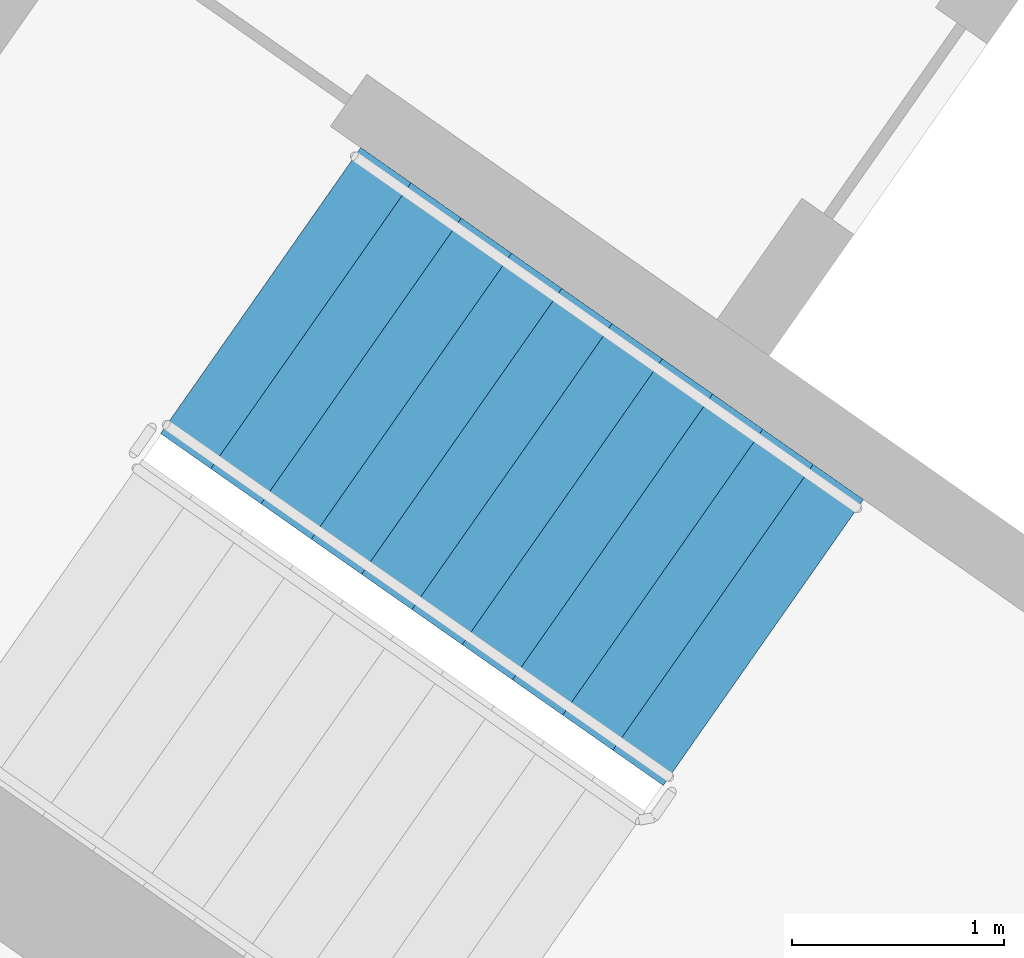
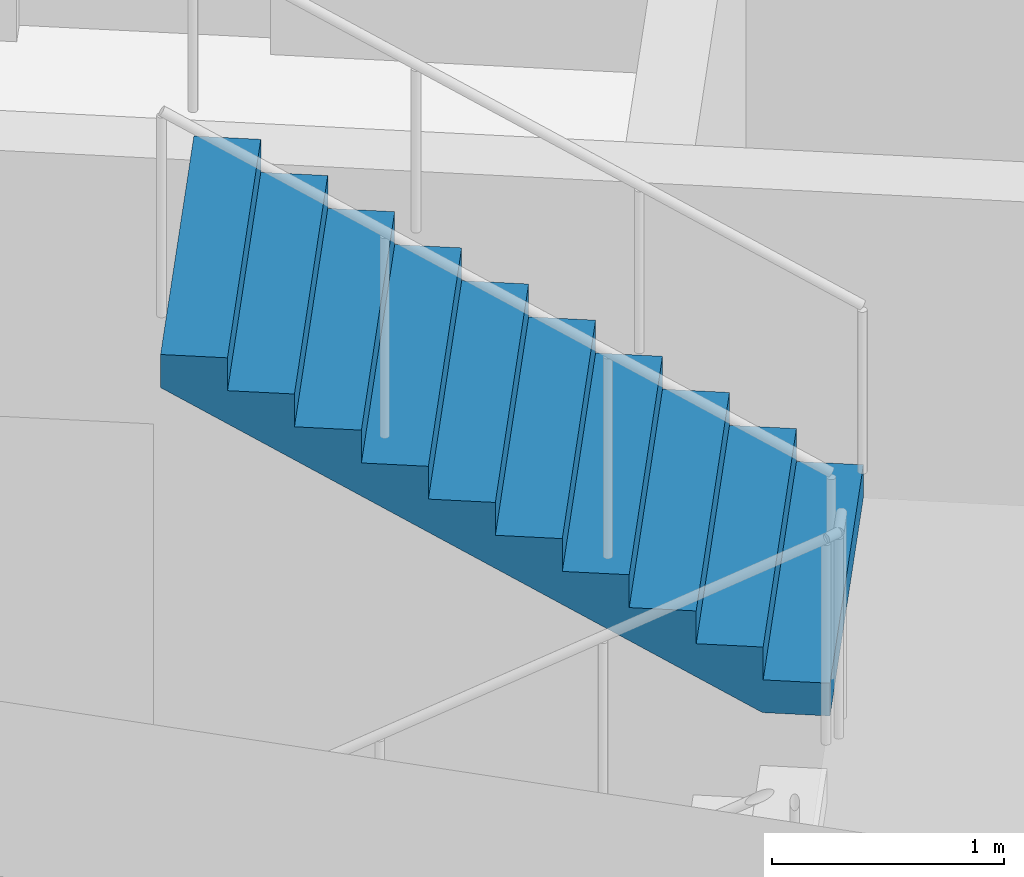
# One storey, part 10 of 26: 1 stair flight, 1 element without a shape of its own.
"""IFC4 building model written with IfcOpenShell, lengths in metres."""

from ifc_helpers import new_model, si_unit, direction, frame, origin, place, context, subcontext, project, spatial, faceted_brep, material, type_object, element, aggregate, save


model = new_model("IFC4")

# Units and contexts
model_context = context("Model", 3, precision=1e-05, world=origin(), true_north=direction((0.0, 1.0)))
body_context = subcontext(model_context, "Body", "Model", "MODEL_VIEW")
ifc_project = project(units=[si_unit("LENGTHUNIT", "METRE"), si_unit("AREAUNIT", "SQUARE_METRE"), si_unit("VOLUMEUNIT", "CUBIC_METRE"), si_unit("PLANEANGLEUNIT", "RADIAN"), si_unit("MASSUNIT", "GRAM", prefix="KILO")], contexts=[model_context])

# Site, building, storey
site_placement = place(None, origin())
site = spatial("IfcSite", under=ifc_project, at=site_placement, CompositionType="ELEMENT")
building_placement = place(site_placement, origin())
building = spatial("IfcBuilding", under=site, at=building_placement, Name="Qamariyya Broadcast Tower", CompositionType="ELEMENT")
storey_placement = place(building_placement, frame((0.0, 0.0, 156.89990234375)))
storey = spatial("IfcBuildingStorey", under=building, at=storey_placement, Name="L36", CompositionType="ELEMENT", Elevation=156.89990234375)

# Stair, stair flight
ifc_material = material(Name="Concrete C50/60", Category="concrete")
stair_type = type_object("IfcStairType", Name="Exit stair 22 risers of 173 mm", PredefinedType="HALF_TURN_STAIR", material=ifc_material)
stair_placement = place(storey_placement, origin())
stair = element("IfcStair", 1, at=stair_placement, inside=storey, type_object=stair_type, Name="L36 Stair W1", PredefinedType="HALF_TURN_STAIR")
stair_flight_type = type_object("IfcStairFlightType", Name="Exit stair flight 11 risers of 173 mm", PredefinedType="STRAIGHT", material=ifc_material)
stair_flight_placement = place(storey_placement, frame((-43.660888671875, -57.17138671875, 1.900146484375), z_axis=(0.0, 0.0, 1.0), x_axis=(-0.819152044289, 0.573576436351, 0.0)))
stair_flight = element("IfcStairFlight", 2, at=stair_flight_placement, type_object=stair_flight_type, Name="ST-W1 flight 2", NumberOfRisers=11, NumberOfTreads=10, PredefinedType="STRAIGHT", RiserHeight=0.172727273, TreadLength=0.29, context=body_context, shape_type="Brep", body=[
    faceted_brep([(0.0, 0.824951171875, 0.0), (0.0, 0.824951171875, 0.172607421875), (0.2900390625, 0.824951171875, 0.172607421875), (0.2900390625, 0.824951171875, 0.345458984375), (0.580078125, 0.824951171875, 0.345458984375), (0.580078125, 0.824951171875, 0.51806640625), (0.8701171875, 0.824951171875, 0.51806640625), (0.8701171875, 0.824951171875, 0.69091796875), (1.159912109375, 0.824951171875, 0.69091796875), (1.159912109375, 0.824951171875, 0.863525390625), (1.449951171875, 0.824951171875, 0.863525390625), (1.449951171875, 0.824951171875, 1.036376953125), (1.739990234375, 0.824951171875, 1.036376953125), (1.739990234375, 0.824951171875, 1.208984375), (2.030029296875, 0.824951171875, 1.208984375), (2.030029296875, 0.824951171875, 1.3818359375), (2.320068359375, 0.824951171875, 1.3818359375), (2.320068359375, 0.824951171875, 1.554443359375), (2.610107421875, 0.824951171875, 1.554443359375), (2.610107421875, 0.824951171875, 1.727294921875), (2.89990234375, 0.824951171875, 1.727294921875), (2.89990234375, 0.824951171875, 1.552734375), (0.29296875, 0.824951171875, 0.0), (0.29296875, -0.824951171875, 0.0), (2.89990234375, -0.824951171875, 1.552734375), (2.89990234375, -0.824951171875, 1.727294921875), (2.610107421875, -0.824951171875, 1.727294921875), (2.610107421875, -0.824951171875, 1.554443359375), (2.320068359375, -0.824951171875, 1.554443359375), (2.320068359375, -0.824951171875, 1.3818359375), (2.030029296875, -0.824951171875, 1.3818359375), (2.030029296875, -0.824951171875, 1.208984375), (1.739990234375, -0.824951171875, 1.208984375), (1.739990234375, -0.824951171875, 1.036376953125), (1.449951171875, -0.824951171875, 1.036376953125), (1.449951171875, -0.824951171875, 0.863525390625), (1.159912109375, -0.824951171875, 0.863525390625), (1.159912109375, -0.824951171875, 0.69091796875), (0.8701171875, -0.824951171875, 0.69091796875), (0.8701171875, -0.824951171875, 0.51806640625), (0.580078125, -0.824951171875, 0.51806640625), (0.580078125, -0.824951171875, 0.345458984375), (0.2900390625, -0.824951171875, 0.345458984375), (0.2900390625, -0.824951171875, 0.172607421875), (0.0, -0.824951171875, 0.172607421875), (0.0, -0.824951171875, 0.0), (0.0, 0.10009765625, 0.0), (0.0, 0.086669921875, 0.0), (0.0, 0.0732421875, 0.0), (0.0, 0.06005859375, 0.0), (0.0, 0.046630859375, 0.0), (0.0, 0.033447265625, 0.0), (0.0, 0.02001953125, 0.0), (0.0, 0.006591796875, 0.0), (0.0, -0.006591796875, 0.0), (0.0, -0.02001953125, 0.0), (0.0, -0.033447265625, 0.0), (0.0, -0.046630859375, 0.0), (0.0, -0.06005859375, 0.0), (0.0, -0.0732421875, 0.0), (0.0, -0.086669921875, 0.0), (0.0, -0.10009765625, 0.0), (0.0, -0.10009765625, 0.172607421875), (0.0, -0.086669921875, 0.172607421875), (0.0, -0.0732421875, 0.172607421875), (0.0, -0.06005859375, 0.172607421875), (0.0, -0.046630859375, 0.172607421875), (0.0, -0.033447265625, 0.172607421875), (0.0, -0.02001953125, 0.172607421875), (0.0, -0.006591796875, 0.172607421875), (0.0, 0.006591796875, 0.172607421875), (0.0, 0.02001953125, 0.172607421875), (0.0, 0.033447265625, 0.172607421875), (0.0, 0.046630859375, 0.172607421875), (0.0, 0.06005859375, 0.172607421875), (0.0, 0.0732421875, 0.172607421875), (0.0, 0.086669921875, 0.172607421875), (0.0, 0.10009765625, 0.172607421875), (0.2900390625, -0.10009765625, 0.172607421875), (0.2900390625, -0.086669921875, 0.172607421875), (0.2900390625, -0.0732421875, 0.172607421875), (0.2900390625, -0.06005859375, 0.172607421875), (0.2900390625, -0.046630859375, 0.172607421875), (0.2900390625, -0.033447265625, 0.172607421875), (0.2900390625, -0.02001953125, 0.172607421875), (0.2900390625, -0.006591796875, 0.172607421875), (0.2900390625, 0.006591796875, 0.172607421875), (0.2900390625, 0.02001953125, 0.172607421875), (0.2900390625, 0.033447265625, 0.172607421875), (0.2900390625, 0.046630859375, 0.172607421875), (0.2900390625, 0.06005859375, 0.172607421875), (0.2900390625, 0.0732421875, 0.172607421875), (0.2900390625, 0.086669921875, 0.172607421875), (0.2900390625, 0.10009765625, 0.172607421875), (0.2900390625, -0.10009765625, 0.345458984375), (0.2900390625, -0.086669921875, 0.345458984375), (0.2900390625, -0.0732421875, 0.345458984375), (0.2900390625, -0.06005859375, 0.345458984375), (0.2900390625, -0.046630859375, 0.345458984375), (0.2900390625, -0.033447265625, 0.345458984375), (0.2900390625, -0.02001953125, 0.345458984375), (0.2900390625, -0.006591796875, 0.345458984375), (0.2900390625, 0.006591796875, 0.345458984375), (0.2900390625, 0.02001953125, 0.345458984375), (0.2900390625, 0.033447265625, 0.345458984375), (0.2900390625, 0.046630859375, 0.345458984375), (0.2900390625, 0.06005859375, 0.345458984375), (0.2900390625, 0.0732421875, 0.345458984375), (0.2900390625, 0.086669921875, 0.345458984375), (0.2900390625, 0.10009765625, 0.345458984375), (0.580078125, -0.10009765625, 0.345458984375), (0.580078125, -0.086669921875, 0.345458984375), (0.580078125, -0.0732421875, 0.345458984375), (0.580078125, -0.06005859375, 0.345458984375), (0.580078125, -0.046630859375, 0.345458984375), (0.580078125, -0.033447265625, 0.345458984375), (0.580078125, -0.02001953125, 0.345458984375), (0.580078125, -0.006591796875, 0.345458984375), (0.580078125, 0.006591796875, 0.345458984375), (0.580078125, 0.02001953125, 0.345458984375), (0.580078125, 0.033447265625, 0.345458984375), (0.580078125, 0.046630859375, 0.345458984375), (0.580078125, 0.06005859375, 0.345458984375), (0.580078125, 0.0732421875, 0.345458984375), (0.580078125, 0.086669921875, 0.345458984375), (0.580078125, 0.10009765625, 0.345458984375), (0.580078125, -0.10009765625, 0.51806640625), (0.580078125, -0.086669921875, 0.51806640625), (0.580078125, -0.0732421875, 0.51806640625), (0.580078125, -0.06005859375, 0.51806640625), (0.580078125, -0.046630859375, 0.51806640625), (0.580078125, -0.033447265625, 0.51806640625), (0.580078125, -0.02001953125, 0.51806640625), (0.580078125, -0.006591796875, 0.51806640625), (0.580078125, 0.006591796875, 0.51806640625), (0.580078125, 0.02001953125, 0.51806640625), (0.580078125, 0.033447265625, 0.51806640625), (0.580078125, 0.046630859375, 0.51806640625), (0.580078125, 0.06005859375, 0.51806640625), (0.580078125, 0.0732421875, 0.51806640625), (0.580078125, 0.086669921875, 0.51806640625), (0.580078125, 0.10009765625, 0.51806640625), (0.8701171875, -0.10009765625, 0.51806640625), (0.8701171875, -0.086669921875, 0.51806640625), (0.8701171875, -0.0732421875, 0.51806640625), (0.8701171875, -0.06005859375, 0.51806640625), (0.8701171875, -0.046630859375, 0.51806640625), (0.8701171875, -0.033447265625, 0.51806640625), (0.8701171875, -0.02001953125, 0.51806640625), (0.8701171875, -0.006591796875, 0.51806640625), (0.8701171875, 0.006591796875, 0.51806640625), (0.8701171875, 0.02001953125, 0.51806640625), (0.8701171875, 0.033447265625, 0.51806640625), (0.8701171875, 0.046630859375, 0.51806640625), (0.8701171875, 0.06005859375, 0.51806640625), (0.8701171875, 0.0732421875, 0.51806640625), (0.8701171875, 0.086669921875, 0.51806640625), (0.8701171875, 0.10009765625, 0.51806640625), (0.8701171875, -0.10009765625, 0.69091796875), (0.8701171875, -0.086669921875, 0.69091796875), (0.8701171875, -0.0732421875, 0.69091796875), (0.8701171875, -0.06005859375, 0.69091796875), (0.8701171875, -0.046630859375, 0.69091796875), (0.8701171875, -0.033447265625, 0.69091796875), (0.8701171875, -0.02001953125, 0.69091796875), (0.8701171875, -0.006591796875, 0.69091796875), (0.8701171875, 0.006591796875, 0.69091796875), (0.8701171875, 0.02001953125, 0.69091796875), (0.8701171875, 0.033447265625, 0.69091796875), (0.8701171875, 0.046630859375, 0.69091796875), (0.8701171875, 0.06005859375, 0.69091796875), (0.8701171875, 0.0732421875, 0.69091796875), (0.8701171875, 0.086669921875, 0.69091796875), (0.8701171875, 0.10009765625, 0.69091796875), (1.159912109375, -0.10009765625, 0.69091796875), (1.159912109375, -0.086669921875, 0.69091796875), (1.159912109375, -0.0732421875, 0.69091796875), (1.159912109375, -0.06005859375, 0.69091796875), (1.159912109375, -0.046630859375, 0.69091796875), (1.159912109375, -0.033447265625, 0.69091796875), (1.159912109375, -0.02001953125, 0.69091796875), (1.159912109375, -0.006591796875, 0.69091796875), (1.159912109375, 0.006591796875, 0.69091796875), (1.159912109375, 0.02001953125, 0.69091796875), (1.159912109375, 0.033447265625, 0.69091796875), (1.159912109375, 0.046630859375, 0.69091796875), (1.159912109375, 0.06005859375, 0.69091796875), (1.159912109375, 0.0732421875, 0.69091796875), (1.159912109375, 0.086669921875, 0.69091796875), (1.159912109375, 0.10009765625, 0.69091796875), (1.159912109375, -0.10009765625, 0.863525390625), (1.159912109375, -0.086669921875, 0.863525390625), (1.159912109375, -0.0732421875, 0.863525390625), (1.159912109375, -0.06005859375, 0.863525390625), (1.159912109375, -0.046630859375, 0.863525390625), (1.159912109375, -0.033447265625, 0.863525390625), (1.159912109375, -0.02001953125, 0.863525390625), (1.159912109375, -0.006591796875, 0.863525390625), (1.159912109375, 0.006591796875, 0.863525390625), (1.159912109375, 0.02001953125, 0.863525390625), (1.159912109375, 0.033447265625, 0.863525390625), (1.159912109375, 0.046630859375, 0.863525390625), (1.159912109375, 0.06005859375, 0.863525390625), (1.159912109375, 0.0732421875, 0.863525390625), (1.159912109375, 0.086669921875, 0.863525390625), (1.159912109375, 0.10009765625, 0.863525390625), (1.449951171875, -0.10009765625, 0.863525390625), (1.449951171875, -0.086669921875, 0.863525390625), (1.449951171875, -0.0732421875, 0.863525390625), (1.449951171875, -0.06005859375, 0.863525390625), (1.449951171875, -0.046630859375, 0.863525390625), (1.449951171875, -0.033447265625, 0.863525390625), (1.449951171875, -0.02001953125, 0.863525390625), (1.449951171875, -0.006591796875, 0.863525390625), (1.449951171875, 0.006591796875, 0.863525390625), (1.449951171875, 0.02001953125, 0.863525390625), (1.449951171875, 0.033447265625, 0.863525390625), (1.449951171875, 0.046630859375, 0.863525390625), (1.449951171875, 0.06005859375, 0.863525390625), (1.449951171875, 0.0732421875, 0.863525390625), (1.449951171875, 0.086669921875, 0.863525390625), (1.449951171875, 0.10009765625, 0.863525390625), (1.449951171875, -0.10009765625, 1.036376953125), (1.449951171875, -0.086669921875, 1.036376953125), (1.449951171875, -0.0732421875, 1.036376953125), (1.449951171875, -0.06005859375, 1.036376953125), (1.449951171875, -0.046630859375, 1.036376953125), (1.449951171875, -0.033447265625, 1.036376953125), (1.449951171875, -0.02001953125, 1.036376953125), (1.449951171875, -0.006591796875, 1.036376953125), (1.449951171875, 0.006591796875, 1.036376953125), (1.449951171875, 0.02001953125, 1.036376953125), (1.449951171875, 0.033447265625, 1.036376953125), (1.449951171875, 0.046630859375, 1.036376953125), (1.449951171875, 0.06005859375, 1.036376953125), (1.449951171875, 0.0732421875, 1.036376953125), (1.449951171875, 0.086669921875, 1.036376953125), (1.449951171875, 0.10009765625, 1.036376953125), (1.739990234375, -0.10009765625, 1.036376953125), (1.739990234375, -0.086669921875, 1.036376953125), (1.739990234375, -0.0732421875, 1.036376953125), (1.739990234375, -0.06005859375, 1.036376953125), (1.739990234375, -0.046630859375, 1.036376953125), (1.739990234375, -0.033447265625, 1.036376953125), (1.739990234375, -0.02001953125, 1.036376953125), (1.739990234375, -0.006591796875, 1.036376953125), (1.739990234375, 0.006591796875, 1.036376953125), (1.739990234375, 0.02001953125, 1.036376953125), (1.739990234375, 0.033447265625, 1.036376953125), (1.739990234375, 0.046630859375, 1.036376953125), (1.739990234375, 0.06005859375, 1.036376953125), (1.739990234375, 0.0732421875, 1.036376953125), (1.739990234375, 0.086669921875, 1.036376953125), (1.739990234375, 0.10009765625, 1.036376953125), (1.739990234375, -0.10009765625, 1.208984375), (1.739990234375, -0.086669921875, 1.208984375), (1.739990234375, -0.0732421875, 1.208984375), (1.739990234375, -0.06005859375, 1.208984375), (1.739990234375, -0.046630859375, 1.208984375), (1.739990234375, -0.033447265625, 1.208984375), (1.739990234375, -0.02001953125, 1.208984375), (1.739990234375, -0.006591796875, 1.208984375), (1.739990234375, 0.006591796875, 1.208984375), (1.739990234375, 0.02001953125, 1.208984375), (1.739990234375, 0.033447265625, 1.208984375), (1.739990234375, 0.046630859375, 1.208984375), (1.739990234375, 0.06005859375, 1.208984375), (1.739990234375, 0.0732421875, 1.208984375), (1.739990234375, 0.086669921875, 1.208984375), (1.739990234375, 0.10009765625, 1.208984375), (2.030029296875, -0.10009765625, 1.208984375), (2.030029296875, -0.086669921875, 1.208984375), (2.030029296875, -0.0732421875, 1.208984375), (2.030029296875, -0.06005859375, 1.208984375), (2.030029296875, -0.046630859375, 1.208984375), (2.030029296875, -0.033447265625, 1.208984375), (2.030029296875, -0.02001953125, 1.208984375), (2.030029296875, -0.006591796875, 1.208984375), (2.030029296875, 0.006591796875, 1.208984375), (2.030029296875, 0.02001953125, 1.208984375), (2.030029296875, 0.033447265625, 1.208984375), (2.030029296875, 0.046630859375, 1.208984375), (2.030029296875, 0.06005859375, 1.208984375), (2.030029296875, 0.0732421875, 1.208984375), (2.030029296875, 0.086669921875, 1.208984375), (2.030029296875, 0.10009765625, 1.208984375), (2.030029296875, -0.10009765625, 1.3818359375), (2.030029296875, -0.086669921875, 1.3818359375), (2.030029296875, -0.0732421875, 1.3818359375), (2.030029296875, -0.06005859375, 1.3818359375), (2.030029296875, -0.046630859375, 1.3818359375), (2.030029296875, -0.033447265625, 1.3818359375), (2.030029296875, -0.02001953125, 1.3818359375), (2.030029296875, -0.006591796875, 1.3818359375), (2.030029296875, 0.006591796875, 1.3818359375), (2.030029296875, 0.02001953125, 1.3818359375), (2.030029296875, 0.033447265625, 1.3818359375), (2.030029296875, 0.046630859375, 1.3818359375), (2.030029296875, 0.06005859375, 1.3818359375), (2.030029296875, 0.0732421875, 1.3818359375), (2.030029296875, 0.086669921875, 1.3818359375), (2.030029296875, 0.10009765625, 1.3818359375), (2.320068359375, -0.10009765625, 1.3818359375), (2.320068359375, -0.086669921875, 1.3818359375), (2.320068359375, -0.0732421875, 1.3818359375), (2.320068359375, -0.06005859375, 1.3818359375), (2.320068359375, -0.046630859375, 1.3818359375), (2.320068359375, -0.033447265625, 1.3818359375), (2.320068359375, -0.02001953125, 1.3818359375), (2.320068359375, -0.006591796875, 1.3818359375), (2.320068359375, 0.006591796875, 1.3818359375), (2.320068359375, 0.02001953125, 1.3818359375), (2.320068359375, 0.033447265625, 1.3818359375), (2.320068359375, 0.046630859375, 1.3818359375), (2.320068359375, 0.06005859375, 1.3818359375), (2.320068359375, 0.0732421875, 1.3818359375), (2.320068359375, 0.086669921875, 1.3818359375), (2.320068359375, 0.10009765625, 1.3818359375), (2.320068359375, -0.10009765625, 1.554443359375), (2.320068359375, -0.086669921875, 1.554443359375), (2.320068359375, -0.0732421875, 1.554443359375), (2.320068359375, -0.06005859375, 1.554443359375), (2.320068359375, -0.046630859375, 1.554443359375), (2.320068359375, -0.033447265625, 1.554443359375), (2.320068359375, -0.02001953125, 1.554443359375), (2.320068359375, -0.006591796875, 1.554443359375), (2.320068359375, 0.006591796875, 1.554443359375), (2.320068359375, 0.02001953125, 1.554443359375), (2.320068359375, 0.033447265625, 1.554443359375), (2.320068359375, 0.046630859375, 1.554443359375), (2.320068359375, 0.06005859375, 1.554443359375), (2.320068359375, 0.0732421875, 1.554443359375), (2.320068359375, 0.086669921875, 1.554443359375), (2.320068359375, 0.10009765625, 1.554443359375), (2.610107421875, -0.10009765625, 1.554443359375), (2.610107421875, -0.086669921875, 1.554443359375), (2.610107421875, -0.0732421875, 1.554443359375), (2.610107421875, -0.06005859375, 1.554443359375), (2.610107421875, -0.046630859375, 1.554443359375), (2.610107421875, -0.033447265625, 1.554443359375), (2.610107421875, -0.02001953125, 1.554443359375), (2.610107421875, -0.006591796875, 1.554443359375), (2.610107421875, 0.006591796875, 1.554443359375), (2.610107421875, 0.02001953125, 1.554443359375), (2.610107421875, 0.033447265625, 1.554443359375), (2.610107421875, 0.046630859375, 1.554443359375), (2.610107421875, 0.06005859375, 1.554443359375), (2.610107421875, 0.0732421875, 1.554443359375), (2.610107421875, 0.086669921875, 1.554443359375), (2.610107421875, 0.10009765625, 1.554443359375), (2.610107421875, -0.10009765625, 1.727294921875), (2.610107421875, -0.086669921875, 1.727294921875), (2.610107421875, -0.0732421875, 1.727294921875), (2.610107421875, -0.06005859375, 1.727294921875), (2.610107421875, -0.046630859375, 1.727294921875), (2.610107421875, -0.033447265625, 1.727294921875), (2.610107421875, -0.02001953125, 1.727294921875), (2.610107421875, -0.006591796875, 1.727294921875), (2.610107421875, 0.006591796875, 1.727294921875), (2.610107421875, 0.02001953125, 1.727294921875), (2.610107421875, 0.033447265625, 1.727294921875), (2.610107421875, 0.046630859375, 1.727294921875), (2.610107421875, 0.06005859375, 1.727294921875), (2.610107421875, 0.0732421875, 1.727294921875), (2.610107421875, 0.086669921875, 1.727294921875), (2.610107421875, 0.10009765625, 1.727294921875), (2.89990234375, -0.10009765625, 1.727294921875), (2.89990234375, -0.086669921875, 1.727294921875), (2.89990234375, -0.0732421875, 1.727294921875), (2.89990234375, -0.06005859375, 1.727294921875), (2.89990234375, -0.046630859375, 1.727294921875), (2.89990234375, -0.033447265625, 1.727294921875), (2.89990234375, -0.02001953125, 1.727294921875), (2.89990234375, -0.006591796875, 1.727294921875), (2.89990234375, 0.006591796875, 1.727294921875), (2.89990234375, 0.02001953125, 1.727294921875), (2.89990234375, 0.033447265625, 1.727294921875), (2.89990234375, 0.046630859375, 1.727294921875), (2.89990234375, 0.06005859375, 1.727294921875), (2.89990234375, 0.0732421875, 1.727294921875), (2.89990234375, 0.086669921875, 1.727294921875), (2.89990234375, 0.10009765625, 1.727294921875), (2.89990234375, -0.10009765625, 1.552734375), (2.89990234375, -0.086669921875, 1.552734375), (2.89990234375, -0.0732421875, 1.552734375), (2.89990234375, -0.06005859375, 1.552734375), (2.89990234375, -0.046630859375, 1.552734375), (2.89990234375, -0.033447265625, 1.552734375), (2.89990234375, -0.02001953125, 1.552734375), (2.89990234375, -0.006591796875, 1.552734375), (2.89990234375, 0.006591796875, 1.552734375), (2.89990234375, 0.02001953125, 1.552734375), (2.89990234375, 0.033447265625, 1.552734375), (2.89990234375, 0.046630859375, 1.552734375), (2.89990234375, 0.06005859375, 1.552734375), (2.89990234375, 0.0732421875, 1.552734375), (2.89990234375, 0.086669921875, 1.552734375), (2.89990234375, 0.10009765625, 1.552734375), (0.29296875, -0.10009765625, 0.0), (0.29296875, -0.086669921875, 0.0), (0.29296875, -0.0732421875, 0.0), (0.29296875, -0.06005859375, 0.0), (0.29296875, -0.046630859375, 0.0), (0.29296875, -0.033447265625, 0.0), (0.29296875, -0.02001953125, 0.0), (0.29296875, -0.006591796875, 0.0), (0.29296875, 0.006591796875, 0.0), (0.29296875, 0.02001953125, 0.0), (0.29296875, 0.033447265625, 0.0), (0.29296875, 0.046630859375, 0.0), (0.29296875, 0.06005859375, 0.0), (0.29296875, 0.0732421875, 0.0), (0.29296875, 0.086669921875, 0.0), (0.29296875, 0.10009765625, 0.0)], [[[0, 1, 2, 3, 4, 5, 6, 7, 8, 9, 10, 11, 12, 13, 14, 15, 16, 17, 18, 19, 20, 21, 22]], [[23, 24, 25, 26, 27, 28, 29, 30, 31, 32, 33, 34, 35, 36, 37, 38, 39, 40, 41, 42, 43, 44, 45]], [[0, 46, 47, 48, 49, 50, 51, 52, 53, 54, 55, 56, 57, 58, 59, 60, 61, 45, 44, 62, 63, 64, 65, 66, 67, 68, 69, 70, 71, 72, 73, 74, 75, 76, 77, 1]], [[1, 77, 76, 75, 74, 73, 72, 71, 70, 69, 68, 67, 66, 65, 64, 63, 62, 44, 43, 78, 79, 80, 81, 82, 83, 84, 85, 86, 87, 88, 89, 90, 91, 92, 93, 2]], [[2, 93, 92, 91, 90, 89, 88, 87, 86, 85, 84, 83, 82, 81, 80, 79, 78, 43, 42, 94, 95, 96, 97, 98, 99, 100, 101, 102, 103, 104, 105, 106, 107, 108, 109, 3]], [[3, 109, 108, 107, 106, 105, 104, 103, 102, 101, 100, 99, 98, 97, 96, 95, 94, 42, 41, 110, 111, 112, 113, 114, 115, 116, 117, 118, 119, 120, 121, 122, 123, 124, 125, 4]], [[4, 125, 124, 123, 122, 121, 120, 119, 118, 117, 116, 115, 114, 113, 112, 111, 110, 41, 40, 126, 127, 128, 129, 130, 131, 132, 133, 134, 135, 136, 137, 138, 139, 140, 141, 5]], [[5, 141, 140, 139, 138, 137, 136, 135, 134, 133, 132, 131, 130, 129, 128, 127, 126, 40, 39, 142, 143, 144, 145, 146, 147, 148, 149, 150, 151, 152, 153, 154, 155, 156, 157, 6]], [[6, 157, 156, 155, 154, 153, 152, 151, 150, 149, 148, 147, 146, 145, 144, 143, 142, 39, 38, 158, 159, 160, 161, 162, 163, 164, 165, 166, 167, 168, 169, 170, 171, 172, 173, 7]], [[7, 173, 172, 171, 170, 169, 168, 167, 166, 165, 164, 163, 162, 161, 160, 159, 158, 38, 37, 174, 175, 176, 177, 178, 179, 180, 181, 182, 183, 184, 185, 186, 187, 188, 189, 8]], [[8, 189, 188, 187, 186, 185, 184, 183, 182, 181, 180, 179, 178, 177, 176, 175, 174, 37, 36, 190, 191, 192, 193, 194, 195, 196, 197, 198, 199, 200, 201, 202, 203, 204, 205, 9]], [[9, 205, 204, 203, 202, 201, 200, 199, 198, 197, 196, 195, 194, 193, 192, 191, 190, 36, 35, 206, 207, 208, 209, 210, 211, 212, 213, 214, 215, 216, 217, 218, 219, 220, 221, 10]], [[10, 221, 220, 219, 218, 217, 216, 215, 214, 213, 212, 211, 210, 209, 208, 207, 206, 35, 34, 222, 223, 224, 225, 226, 227, 228, 229, 230, 231, 232, 233, 234, 235, 236, 237, 11]], [[11, 237, 236, 235, 234, 233, 232, 231, 230, 229, 228, 227, 226, 225, 224, 223, 222, 34, 33, 238, 239, 240, 241, 242, 243, 244, 245, 246, 247, 248, 249, 250, 251, 252, 253, 12]], [[12, 253, 252, 251, 250, 249, 248, 247, 246, 245, 244, 243, 242, 241, 240, 239, 238, 33, 32, 254, 255, 256, 257, 258, 259, 260, 261, 262, 263, 264, 265, 266, 267, 268, 269, 13]], [[13, 269, 268, 267, 266, 265, 264, 263, 262, 261, 260, 259, 258, 257, 256, 255, 254, 32, 31, 270, 271, 272, 273, 274, 275, 276, 277, 278, 279, 280, 281, 282, 283, 284, 285, 14]], [[14, 285, 284, 283, 282, 281, 280, 279, 278, 277, 276, 275, 274, 273, 272, 271, 270, 31, 30, 286, 287, 288, 289, 290, 291, 292, 293, 294, 295, 296, 297, 298, 299, 300, 301, 15]], [[15, 301, 300, 299, 298, 297, 296, 295, 294, 293, 292, 291, 290, 289, 288, 287, 286, 30, 29, 302, 303, 304, 305, 306, 307, 308, 309, 310, 311, 312, 313, 314, 315, 316, 317, 16]], [[16, 317, 316, 315, 314, 313, 312, 311, 310, 309, 308, 307, 306, 305, 304, 303, 302, 29, 28, 318, 319, 320, 321, 322, 323, 324, 325, 326, 327, 328, 329, 330, 331, 332, 333, 17]], [[17, 333, 332, 331, 330, 329, 328, 327, 326, 325, 324, 323, 322, 321, 320, 319, 318, 28, 27, 334, 335, 336, 337, 338, 339, 340, 341, 342, 343, 344, 345, 346, 347, 348, 349, 18]], [[18, 349, 348, 347, 346, 345, 344, 343, 342, 341, 340, 339, 338, 337, 336, 335, 334, 27, 26, 350, 351, 352, 353, 354, 355, 356, 357, 358, 359, 360, 361, 362, 363, 364, 365, 19]], [[19, 365, 364, 363, 362, 361, 360, 359, 358, 357, 356, 355, 354, 353, 352, 351, 350, 26, 25, 366, 367, 368, 369, 370, 371, 372, 373, 374, 375, 376, 377, 378, 379, 380, 381, 20]], [[20, 381, 380, 379, 378, 377, 376, 375, 374, 373, 372, 371, 370, 369, 368, 367, 366, 25, 24, 382, 383, 384, 385, 386, 387, 388, 389, 390, 391, 392, 393, 394, 395, 396, 397, 21]], [[21, 397, 396, 395, 394, 393, 392, 391, 390, 389, 388, 387, 386, 385, 384, 383, 382, 24, 23, 398, 399, 400, 401, 402, 403, 404, 405, 406, 407, 408, 409, 410, 411, 412, 413, 22]], [[22, 413, 412, 411, 410, 409, 408, 407, 406, 405, 404, 403, 402, 401, 400, 399, 398, 23, 45, 61, 60, 59, 58, 57, 56, 55, 54, 53, 52, 51, 50, 49, 48, 47, 46, 0]]]),
])
aggregate(stair, [stair_flight])

save(model, "model.ifc")
